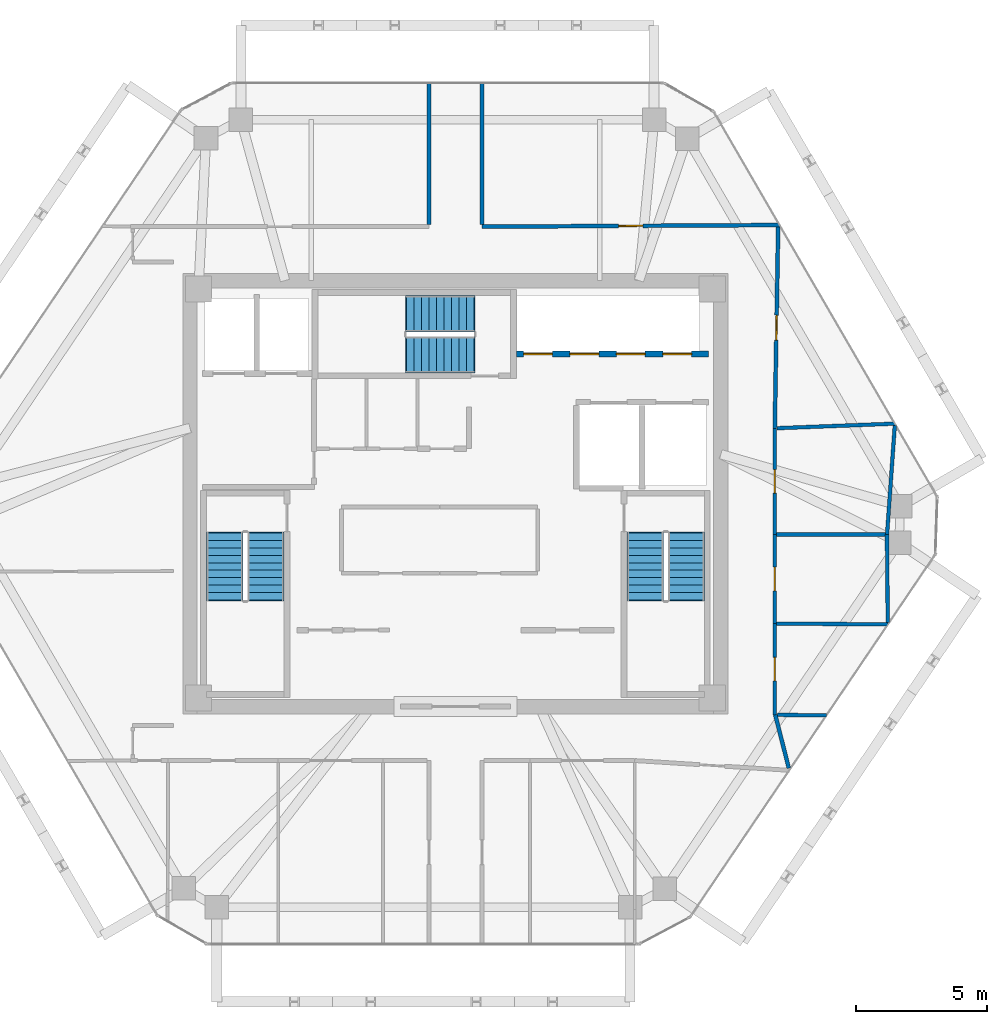
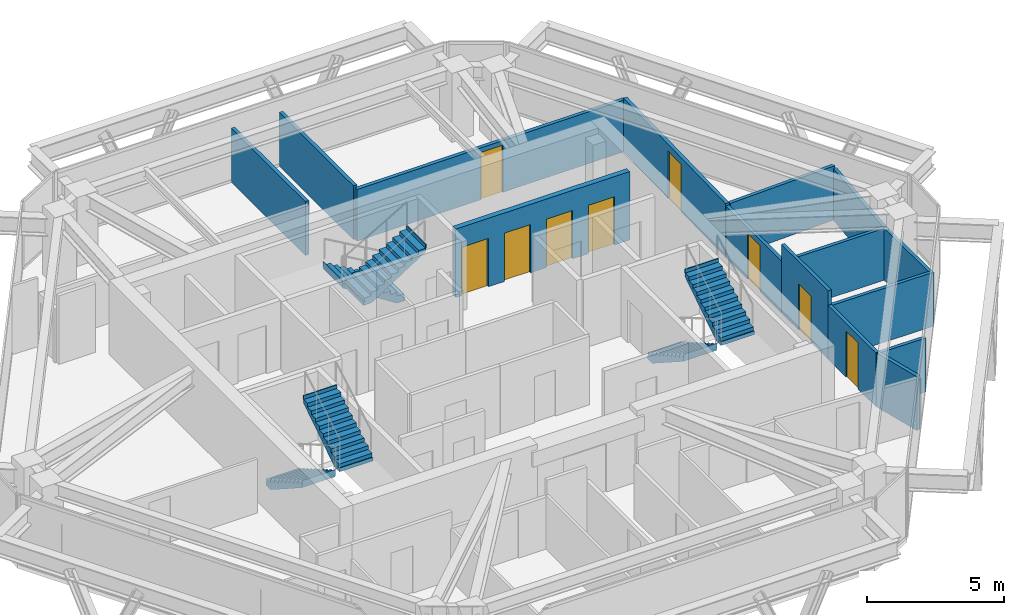
# One storey, part 10 of 11: 15 walls, 9 doors, 6 stair flights, 9 openings, 3 elements without a shape of their own.
"""IFC4 building model written with IfcOpenShell, lengths in metres."""

from ifc_helpers import new_model, si_unit, direction, frame, frame_2d, origin, place, context, subcontext, project, spatial, polyline, rectangle, outline, extrude, source, transform, mapped, material, layer, layer_set, type_object, type_shapes, element, fill, aggregate, save


model = new_model("IFC4")

# Units and contexts
model_context = context("Model", 3, precision=1e-05, world=origin(), true_north=direction((0.0, 1.0)))
body_context = subcontext(model_context, "Body", "Model", "MODEL_VIEW")
ifc_project = project(units=[si_unit("LENGTHUNIT", "METRE"), si_unit("AREAUNIT", "SQUARE_METRE"), si_unit("VOLUMEUNIT", "CUBIC_METRE"), si_unit("PLANEANGLEUNIT", "RADIAN"), si_unit("MASSUNIT", "GRAM", prefix="KILO")], contexts=[model_context])

# Site, building, storey
site_placement = place(None, origin())
site = spatial("IfcSite", under=ifc_project, at=site_placement, CompositionType="ELEMENT")
building_placement = place(site_placement, origin())
building = spatial("IfcBuilding", under=site, at=building_placement, Name="Durnholm Broadcast Tower", CompositionType="ELEMENT")
storey_placement = place(building_placement, frame((0.0, 0.0, 244.699951171875)))
storey = spatial("IfcBuildingStorey", under=building, at=storey_placement, Name="L68", CompositionType="ELEMENT", Elevation=244.699951171875)

# Wall
ifc_material_1 = material(Name="Acoustic Gypsum Stud Partition", Category="concrete")
ifc_layer_1 = layer(ifc_material_1, 0.14990234375)
ifc_layer_set_1 = layer_set([ifc_layer_1], Name="Acoustic Gypsum Stud Partition")
wall_type_1 = type_object("IfcWallType", Name="WALL-PART-150", PredefinedType="PARTITIONING", material=ifc_layer_set_1)
wall_1_placement = place(storey_placement, frame((-1.010009765625, 15.662109375, 0.0), z_axis=(0.0, 0.0, 1.0), x_axis=(0.0, -1.0, 0.0)))
element("IfcWall", 1, at=wall_1_placement, inside=storey, type_object=wall_type_1, Name="L68 Open Plan Broadcast Workspace 2 corridor partition", PredefinedType="PARTITIONING", context=body_context, shape_type="SweptSolid", body=[
    extrude(rectangle(XDim=5.403076171875, YDim=0.14990234375, at=frame_2d((2.70166015625, 0.0))), origin(), (0.0, 0.0, 1.0), 2.39892578125),
])

# Wall, opening, door
wall_2_placement = place(storey_placement, frame((12.368408203125, 10.242919921875, 0.0), z_axis=(0.0, 0.0, 1.0), x_axis=(-0.999984623931, -0.005545439622, 0.0)))
wall_2 = element("IfcWall", 2, at=wall_2_placement, inside=storey, type_object=wall_type_1, Name="L68 Open Plan Broadcast Workspace 3 corridor partition", PredefinedType="PARTITIONING", context=body_context, shape_type="SweptSolid", body=[
    extrude(rectangle(XDim=11.358642578125, YDim=0.14990234375, at=frame_2d((5.67919921875, 0.0))), origin(), (0.0, 0.0, 1.0), 2.30126953125),
])
opening_1_placement = place(wall_2_placement, frame((5.21923828125, 0.0, 0.0)))
opening_1 = element("IfcOpeningElement", 3, at=opening_1_placement, cuts=wall_2, Name="Opening DR-92L", PredefinedType="OPENING", context=body_context, shape_type="SweptSolid", body=[
    extrude(rectangle(XDim=0.919921875, YDim=2.10009765625, at=frame_2d((0.4599609375, 1.050048828125))), frame((0.0, 0.0849609375, 0.0), z_axis=(0.0, -1.0, 0.0), x_axis=(1.0, 0.0, 0.0)), (0.0, 0.0, 1.0), 0.169921875),
])
ifc_material_2 = material(Name="Oak Veneer Office Door", Category="wood")
ifc_layer_2 = layer(ifc_material_2, 0.050048828125)
ifc_layer_set_2 = layer_set([ifc_layer_2], Name="Oak Veneer Office Door")
door_type_1 = type_object("IfcDoorType", Name="DOOR-RM-920L", OperationType="NOTDEFINED", PredefinedType="DOOR", material=ifc_layer_set_2)
shared_shape_1 = source(origin(), body_context, "Body", "SweptSolid", [
    extrude(rectangle(XDim=0.919921875, YDim=2.10009765625, at=frame_2d((0.4599609375, 1.050048828125))), frame((0.0, 0.02490234375, 0.0), z_axis=(0.0, -1.0, 0.0), x_axis=(1.0, 0.0, 0.0)), (0.0, 0.0, 1.0), 0.050048828125),
])
type_shapes(door_type_1, [shared_shape_1])
door_1_placement = place(opening_1_placement, origin())
door_1 = element("IfcDoor", 4, at=door_1_placement, inside=storey, type_object=door_type_1, Name="L68 Open Plan Broadcast Workspace 3 entrance door", OperationType="SINGLE_SWING_LEFT", OverallHeight=2.10009765625, OverallWidth=0.919921875, PredefinedType="DOOR", context=body_context, shape_type="MappedRepresentation", body=[
    mapped(shared_shape_1, transform((0.0, 0.0, 0.0), x_axis=(1.0, 0.0, 0.0), y_axis=(0.0, 1.0, 0.0), z_axis=(0.0, 0.0, 1.0), scale=1.0)),
])
fill(opening_1, door_1)

# Walls
wall_3_placement = place(storey_placement, frame((1.010009765625, 10.259033203125, 0.0), z_axis=(0.0, 0.0, 1.0), x_axis=(0.0, 1.0, 0.0)))
element("IfcWall", 5, at=wall_3_placement, inside=storey, type_object=wall_type_1, Name="L68 Open Plan Broadcast Workspace 3 corridor partition", PredefinedType="PARTITIONING", context=body_context, shape_type="SweptSolid", body=[
    extrude(rectangle(XDim=5.403076171875, YDim=0.14990234375, at=frame_2d((2.70166015625, 0.0))), origin(), (0.0, 0.0, 1.0), 2.39892578125),
])
wall_4_placement = place(storey_placement, frame((12.718505859375, -10.477294921875, 0.0), z_axis=(0.0, 0.0, 1.0), x_axis=(-0.246550381988, 0.96912997536, 0.0)))
element("IfcWall", 6, at=wall_4_placement, inside=storey, type_object=wall_type_1, Name="L68 Editorial Briefing Meeting Room corridor partition", PredefinedType="PARTITIONING", context=body_context, shape_type="SweptSolid", body=[
    extrude(rectangle(XDim=2.102294921875, YDim=0.14990234375, at=frame_2d((1.05126953125, 0.0))), origin(), (0.0, 0.0, 1.0), 2.39892578125),
])

# Wall, opening, door
wall_5_placement = place(storey_placement, frame((12.181396484375, 2.489990234375, 0.0), z_axis=(0.0, 0.0, 1.0), x_axis=(0.016828134389, 0.999858396921, 0.0)))
wall_5 = element("IfcWall", 7, at=wall_5_placement, inside=storey, type_object=wall_type_1, Name="L68 Open Plan Broadcast Workspace 2 corridor partition", PredefinedType="PARTITIONING", context=body_context, shape_type="SweptSolid", body=[
    extrude(rectangle(XDim=7.674560546875, YDim=0.14990234375, at=frame_2d((3.83740234375, 0.0))), origin(), (0.0, 0.0, 1.0), 2.39892578125),
])
opening_2_placement = place(wall_5_placement, frame((3.3623046875, 0.0, 0.0)))
opening_2 = element("IfcOpeningElement", 8, at=opening_2_placement, cuts=wall_5, Name="Opening DR-95L", PredefinedType="OPENING", context=body_context, shape_type="SweptSolid", body=[
    extrude(rectangle(XDim=0.949951171875, YDim=2.10009765625, at=frame_2d((0.47509765625, 1.050048828125))), frame((0.0, 0.0849609375, 0.0), z_axis=(0.0, -1.0, 0.0), x_axis=(1.0, 0.0, 0.0)), (0.0, 0.0, 1.0), 0.169921875),
])
ifc_material_3 = material(Name="Acoustic Oak Veneer Timber Door", Category="wood")
ifc_layer_3 = layer(ifc_material_3, 0.050048828125)
ifc_layer_set_3 = layer_set([ifc_layer_3], Name="Acoustic Oak Veneer Timber Door")
door_type_2 = type_object("IfcDoorType", Name="DOOR-RM-950L", OperationType="NOTDEFINED", PredefinedType="DOOR", material=ifc_layer_set_3)
shared_shape_2 = source(origin(), body_context, "Body", "SweptSolid", [
    extrude(rectangle(XDim=0.949951171875, YDim=2.10009765625, at=frame_2d((0.47509765625, 1.050048828125))), frame((0.0, 0.02490234375, 0.0), z_axis=(0.0, -1.0, 0.0), x_axis=(1.0, 0.0, 0.0)), (0.0, 0.0, 1.0), 0.050048828125),
])
type_shapes(door_type_2, [shared_shape_2])
door_2_placement = place(opening_2_placement, origin())
door_2 = element("IfcDoor", 9, at=door_2_placement, inside=storey, type_object=door_type_2, Name="L68 Open Plan Broadcast Workspace 2 entrance door", OperationType="SINGLE_SWING_LEFT", OverallHeight=2.10009765625, OverallWidth=0.949951171875, PredefinedType="DOOR", context=body_context, shape_type="MappedRepresentation", body=[
    mapped(shared_shape_2, transform((0.0, 0.0, 0.0), x_axis=(1.0, 0.0, 0.0), y_axis=(0.0, 1.0, 0.0), z_axis=(0.0, 0.0, 1.0), scale=1.0)),
])
fill(opening_2, door_2)

# Wall, openings, doors
ifc_material_4 = material(Name="Concrete Blockwork C30/37", Category="masonry")
ifc_layer_4 = layer(ifc_material_4, 0.219970703125)
ifc_layer_set_4 = layer_set([ifc_layer_4], Name="Concrete Blockwork C30/37")
wall_type_2 = type_object("IfcWallType", Name="WALL-SHAFT-220", PredefinedType="SOLIDWALL", material=ifc_layer_set_4)
wall_6_placement = place(storey_placement, frame((2.324951171875, 5.320068359375, 0.0), z_axis=(0.0, 0.0, 1.0), x_axis=(1.0, 0.0, 0.0)))
wall_6 = element("IfcWall", 10, at=wall_6_placement, inside=storey, type_object=wall_type_2, Name="L68 high-rise bank P3 south front wall", PredefinedType="SOLIDWALL", context=body_context, shape_type="SweptSolid", body=[
    extrude(rectangle(XDim=7.324951171875, YDim=0.219970703125, at=frame_2d((3.66259765625, 0.0))), origin(), (0.0, 0.0, 1.0), 3.045166015625),
])
opening_3_placement = place(wall_6_placement, frame((0.27490234375, 0.0, 0.0)))
opening_3 = element("IfcOpeningElement", 11, at=opening_3_placement, cuts=wall_6, Name="Opening LD-LP3-1", PredefinedType="OPENING", context=body_context, shape_type="SweptSolid", body=[
    extrude(rectangle(XDim=1.10009765625, YDim=2.14990234375, at=frame_2d((0.550048828125, 1.074951171875))), frame((0.0, 0.1201171875, 0.0), z_axis=(0.0, -1.0, 0.0), x_axis=(1.0, 0.0, 0.0)), (0.0, 0.0, 1.0), 0.239990234375),
])
opening_4_placement = place(wall_6_placement, frame((2.044921875, 0.0, 0.0)))
opening_4 = element("IfcOpeningElement", 12, at=opening_4_placement, cuts=wall_6, Name="Opening LD-LP3-2", PredefinedType="OPENING", context=body_context, shape_type="SweptSolid", body=[
    extrude(rectangle(XDim=1.10009765625, YDim=2.14990234375, at=frame_2d((0.550048828125, 1.074951171875))), frame((0.0, 0.1201171875, 0.0), z_axis=(0.0, -1.0, 0.0), x_axis=(1.0, 0.0, 0.0)), (0.0, 0.0, 1.0), 0.239990234375),
])
opening_5_placement = place(wall_6_placement, frame((3.81494140625, 0.0, 0.0)))
opening_5 = element("IfcOpeningElement", 13, at=opening_5_placement, cuts=wall_6, Name="Opening LD-LP3-3", PredefinedType="OPENING", context=body_context, shape_type="SweptSolid", body=[
    extrude(rectangle(XDim=1.10009765625, YDim=2.14990234375, at=frame_2d((0.550048828125, 1.074951171875))), frame((0.0, 0.1201171875, 0.0), z_axis=(0.0, -1.0, 0.0), x_axis=(1.0, 0.0, 0.0)), (0.0, 0.0, 1.0), 0.239990234375),
])
opening_6_placement = place(wall_6_placement, frame((5.5849609375, 0.0, 0.0)))
opening_6 = element("IfcOpeningElement", 14, at=opening_6_placement, cuts=wall_6, Name="Opening LD-LP3-4", PredefinedType="OPENING", context=body_context, shape_type="SweptSolid", body=[
    extrude(rectangle(XDim=1.10009765625, YDim=2.14990234375, at=frame_2d((0.550048828125, 1.074951171875))), frame((0.0, 0.1201171875, 0.0), z_axis=(0.0, -1.0, 0.0), x_axis=(1.0, 0.0, 0.0)), (0.0, 0.0, 1.0), 0.239990234375),
])
ifc_material_5 = material(Name="Stainless Steel Sliding Elevator Landing Door", Category="steel")
ifc_layer_5 = layer(ifc_material_5, 0.050048828125)
ifc_layer_set_5 = layer_set([ifc_layer_5], Name="Stainless Steel Sliding Elevator Landing Door")
door_type_3 = type_object("IfcDoorType", Name="DOOR-LIFT-PAX", OperationType="DOUBLE_DOOR_SLIDING", PredefinedType="DOOR", material=ifc_layer_set_5)
shared_shape_3 = source(origin(), body_context, "Body", "SweptSolid", [
    extrude(rectangle(XDim=1.10009765625, YDim=2.14990234375, at=frame_2d((0.550048828125, 1.074951171875))), frame((0.0, 0.02490234375, 0.0), z_axis=(0.0, -1.0, 0.0), x_axis=(1.0, 0.0, 0.0)), (0.0, 0.0, 1.0), 0.050048828125),
])
type_shapes(door_type_3, [shared_shape_3])
door_3_placement = place(opening_3_placement, origin())
door_3 = element("IfcDoor", 15, at=door_3_placement, inside=storey, type_object=door_type_3, Name="L68 high-rise elevator LP3-1 sliding landing door", OperationType="DOUBLE_DOOR_SLIDING", OverallHeight=2.14990234375, OverallWidth=1.10009765625, PredefinedType="DOOR", context=body_context, shape_type="MappedRepresentation", body=[
    mapped(shared_shape_3, transform((0.0, 0.0, 0.0), x_axis=(1.0, 0.0, 0.0), y_axis=(0.0, 1.0, 0.0), z_axis=(0.0, 0.0, 1.0), scale=1.0)),
])
fill(opening_3, door_3)
door_4_placement = place(opening_4_placement, origin())
door_4 = element("IfcDoor", 16, at=door_4_placement, inside=storey, type_object=door_type_3, Name="L68 high-rise elevator LP3-2 sliding landing door", OperationType="DOUBLE_DOOR_SLIDING", OverallHeight=2.14990234375, OverallWidth=1.10009765625, PredefinedType="DOOR", context=body_context, shape_type="MappedRepresentation", body=[
    mapped(shared_shape_3, transform((0.0, 0.0, 0.0), x_axis=(1.0, 0.0, 0.0), y_axis=(0.0, 1.0, 0.0), z_axis=(0.0, 0.0, 1.0), scale=1.0)),
])
fill(opening_4, door_4)
door_5_placement = place(opening_5_placement, origin())
door_5 = element("IfcDoor", 17, at=door_5_placement, inside=storey, type_object=door_type_3, Name="L68 high-rise elevator LP3-3 sliding landing door", OperationType="DOUBLE_DOOR_SLIDING", OverallHeight=2.14990234375, OverallWidth=1.10009765625, PredefinedType="DOOR", context=body_context, shape_type="MappedRepresentation", body=[
    mapped(shared_shape_3, transform((0.0, 0.0, 0.0), x_axis=(1.0, 0.0, 0.0), y_axis=(0.0, 1.0, 0.0), z_axis=(0.0, 0.0, 1.0), scale=1.0)),
])
fill(opening_5, door_5)
door_6_placement = place(opening_6_placement, origin())
door_6 = element("IfcDoor", 18, at=door_6_placement, inside=storey, type_object=door_type_3, Name="L68 high-rise elevator LP3-4 sliding landing door", OperationType="DOUBLE_DOOR_SLIDING", OverallHeight=2.14990234375, OverallWidth=1.10009765625, PredefinedType="DOOR", context=body_context, shape_type="MappedRepresentation", body=[
    mapped(shared_shape_3, transform((0.0, 0.0, 0.0), x_axis=(1.0, 0.0, 0.0), y_axis=(0.0, 1.0, 0.0), z_axis=(0.0, 0.0, 1.0), scale=1.0)),
])
fill(opening_6, door_6)

# Wall, opening, door
ifc_material_6 = material(Name="Moisture-Resistant Tile Partition", Category="concrete")
ifc_layer_6 = layer(ifc_material_6, 0.139892578125)
ifc_layer_set_6 = layer_set([ifc_layer_6], Name="Moisture-Resistant Tile Partition")
wall_type_3 = type_object("IfcWallType", Name="WALL-WC-140", PredefinedType="PARTITIONING", material=ifc_layer_set_6)
wall_7_placement = place(storey_placement, frame((12.179931640625, -8.43994140625, 0.0), z_axis=(0.0, 0.0, 1.0), x_axis=(0.0, 1.0, 0.0)))
wall_7 = element("IfcWall", 19, at=wall_7_placement, inside=storey, type_object=wall_type_3, Name="L68 Men's Restroom corridor partition", PredefinedType="PARTITIONING", context=body_context, shape_type="SweptSolid", body=[
    extrude(rectangle(XDim=3.47998046875, YDim=0.139892578125, at=frame_2d((1.739990234375, 0.0))), origin(), (0.0, 0.0, 1.0), 2.39892578125),
])
opening_7_placement = place(wall_7_placement, frame((1.2900390625, 0.0, 0.0)))
opening_7 = element("IfcOpeningElement", 20, at=opening_7_placement, cuts=wall_7, Name="Opening DW-90L", PredefinedType="OPENING", context=body_context, shape_type="SweptSolid", body=[
    extrude(rectangle(XDim=0.89990234375, YDim=2.050048828125, at=frame_2d((0.449951171875, 1.02490234375))), frame((0.0, 0.080078125, 0.0), z_axis=(0.0, -1.0, 0.0), x_axis=(1.0, 0.0, 0.0)), (0.0, 0.0, 1.0), 0.159912109375),
])
ifc_material_7 = material(Name="Laminate Restroom Door", Category="steel")
ifc_layer_7 = layer(ifc_material_7, 0.050048828125)
ifc_layer_set_7 = layer_set([ifc_layer_7], Name="Laminate Restroom Door")
door_type_4 = type_object("IfcDoorType", Name="DOOR-WC-900L", OperationType="NOTDEFINED", PredefinedType="DOOR", material=ifc_layer_set_7)
shared_shape_4 = source(origin(), body_context, "Body", "SweptSolid", [
    extrude(rectangle(XDim=0.89990234375, YDim=2.050048828125, at=frame_2d((0.449951171875, 1.02490234375))), frame((0.0, 0.02490234375, 0.0), z_axis=(0.0, -1.0, 0.0), x_axis=(1.0, 0.0, 0.0)), (0.0, 0.0, 1.0), 0.050048828125),
])
type_shapes(door_type_4, [shared_shape_4])
door_7_placement = place(opening_7_placement, origin())
door_7 = element("IfcDoor", 21, at=door_7_placement, inside=storey, type_object=door_type_4, Name="L68 Men's Restroom entrance door", OperationType="SINGLE_SWING_LEFT", OverallHeight=2.050048828125, OverallWidth=0.89990234375, PredefinedType="DOOR", context=body_context, shape_type="MappedRepresentation", body=[
    mapped(shared_shape_4, transform((0.0, 0.0, 0.0), x_axis=(1.0, 0.0, 0.0), y_axis=(0.0, 1.0, 0.0), z_axis=(0.0, 0.0, 1.0), scale=1.0)),
])
fill(opening_7, door_7)

wall_8_placement = place(storey_placement, frame((12.179931640625, -4.9599609375, 0.0), z_axis=(0.0, 0.0, 1.0), x_axis=(0.0, 1.0, 0.0)))
wall_8 = element("IfcWall", 22, at=wall_8_placement, inside=storey, type_object=wall_type_3, Name="L68 Women's Restroom corridor partition", PredefinedType="PARTITIONING", context=body_context, shape_type="SweptSolid", body=[
    extrude(rectangle(XDim=3.39990234375, YDim=0.139892578125, at=frame_2d((1.699951171875, 0.0))), origin(), (0.0, 0.0, 1.0), 3.045166015625),
])
opening_8_placement = place(wall_8_placement, frame((1.25, 0.0, 0.0)))
opening_8 = element("IfcOpeningElement", 23, at=opening_8_placement, cuts=wall_8, Name="Opening DW-90R", PredefinedType="OPENING", context=body_context, shape_type="SweptSolid", body=[
    extrude(rectangle(XDim=0.89990234375, YDim=2.050048828125, at=frame_2d((0.449951171875, 1.02490234375))), frame((0.0, 0.080078125, 0.0), z_axis=(0.0, -1.0, 0.0), x_axis=(1.0, 0.0, 0.0)), (0.0, 0.0, 1.0), 0.159912109375),
])
ifc_layer_8 = layer(ifc_material_7, 0.050048828125)
ifc_layer_set_8 = layer_set([ifc_layer_8], Name="Laminate Restroom Door")
door_type_5 = type_object("IfcDoorType", Name="DOOR-WC-900R", OperationType="NOTDEFINED", PredefinedType="DOOR", material=ifc_layer_set_8)
shared_shape_5 = source(origin(), body_context, "Body", "SweptSolid", [
    extrude(rectangle(XDim=0.89990234375, YDim=2.050048828125, at=frame_2d((0.449951171875, 1.02490234375))), frame((0.0, 0.02490234375, 0.0), z_axis=(0.0, -1.0, 0.0), x_axis=(1.0, 0.0, 0.0)), (0.0, 0.0, 1.0), 0.050048828125),
])
type_shapes(door_type_5, [shared_shape_5])
door_8_placement = place(opening_8_placement, origin())
door_8 = element("IfcDoor", 24, at=door_8_placement, inside=storey, type_object=door_type_5, Name="L68 Women's Restroom entrance door", OperationType="SINGLE_SWING_RIGHT", OverallHeight=2.050048828125, OverallWidth=0.89990234375, PredefinedType="DOOR", context=body_context, shape_type="MappedRepresentation", body=[
    mapped(shared_shape_5, transform((0.0, 0.0, 0.0), x_axis=(1.0, 0.0, 0.0), y_axis=(0.0, 1.0, 0.0), z_axis=(0.0, 0.0, 1.0), scale=1.0)),
])
fill(opening_8, door_8)

wall_9_placement = place(storey_placement, frame((12.179931640625, -1.56005859375, 0.0), z_axis=(0.0, 0.0, 1.0), x_axis=(0.0, 1.0, 0.0)))
wall_9 = element("IfcWall", 25, at=wall_9_placement, inside=storey, type_object=wall_type_3, Name="L68 Accessible Restroom corridor partition", PredefinedType="PARTITIONING", context=body_context, shape_type="SweptSolid", body=[
    extrude(rectangle(XDim=4.050048828125, YDim=0.139892578125, at=frame_2d((2.02490234375, 0.0))), origin(), (0.0, 0.0, 1.0), 2.30126953125),
])
opening_9_placement = place(wall_9_placement, frame((1.574951171875, 0.0, 0.0)))
opening_9 = element("IfcOpeningElement", 26, at=opening_9_placement, cuts=wall_9, Name="Opening DW-90L", PredefinedType="OPENING", context=body_context, shape_type="SweptSolid", body=[
    extrude(rectangle(XDim=0.89990234375, YDim=2.050048828125, at=frame_2d((0.449951171875, 1.02490234375))), frame((0.0, 0.080078125, 0.0), z_axis=(0.0, -1.0, 0.0), x_axis=(1.0, 0.0, 0.0)), (0.0, 0.0, 1.0), 0.159912109375),
])
door_9_placement = place(opening_9_placement, origin())
door_9 = element("IfcDoor", 27, at=door_9_placement, inside=storey, type_object=door_type_4, Name="L68 Accessible Restroom entrance door", OperationType="SINGLE_SWING_LEFT", OverallHeight=2.050048828125, OverallWidth=0.89990234375, PredefinedType="DOOR", context=body_context, shape_type="MappedRepresentation", body=[
    mapped(shared_shape_4, transform((0.0, 0.0, 0.0), x_axis=(1.0, 0.0, 0.0), y_axis=(0.0, 1.0, 0.0), z_axis=(0.0, 0.0, 1.0), scale=1.0)),
])
fill(opening_9, door_9)

# Walls
wall_10_placement = place(storey_placement, frame((12.25390625, -4.96044921875, 0.0), z_axis=(0.0, 0.0, 1.0), x_axis=(0.999976630429, -0.006836563198, 0.0)))
element("IfcWall", 28, at=wall_10_placement, inside=storey, type_object=wall_type_3, Name="L68 room dividing partition 9.10", PredefinedType="PARTITIONING", context=body_context, shape_type="SweptSolid", body=[
    extrude(rectangle(XDim=4.24951171875, YDim=0.139892578125, at=frame_2d((2.124755859375, 0.0))), origin(), (0.0, 0.0, 1.0), 2.39892578125),
])
wall_11_placement = place(storey_placement, frame((14.155517578125, -8.46240234375, 0.0), z_axis=(0.0, 0.0, 1.0), x_axis=(-0.999935742613, 0.011336253532, 0.0)))
element("IfcWall", 29, at=wall_11_placement, inside=storey, type_object=wall_type_3, Name="L68 room dividing partition 9.20", PredefinedType="PARTITIONING", context=body_context, shape_type="SweptSolid", body=[
    extrude(rectangle(XDim=1.87353515625, YDim=0.139892578125, at=frame_2d((0.936767578125, 0.0))), origin(), (0.0, 0.0, 1.0), 2.39892578125),
])
wall_12_placement = place(storey_placement, frame((12.25390625, -1.56005859375, 0.0), z_axis=(0.0, 0.0, 1.0), x_axis=(1.0, 0.0, 0.0)))
element("IfcWall", 30, at=wall_12_placement, inside=storey, type_object=wall_type_3, Name="L68 room dividing partition 10.11", PredefinedType="PARTITIONING", context=body_context, shape_type="SweptSolid", body=[
    extrude(rectangle(XDim=4.2060546875, YDim=0.139892578125, at=frame_2d((2.10302734375, 0.0))), origin(), (0.0, 0.0, 1.0), 2.30126953125),
])
wall_13_placement = place(storey_placement, frame((16.4599609375, -1.56005859375, 0.0), z_axis=(0.0, 0.0, 1.0), x_axis=(0.009604446748, -0.999953876238, 0.0)))
element("IfcWall", 31, at=wall_13_placement, inside=storey, type_object=wall_type_3, Name="L68 room dividing partition 10.24", PredefinedType="PARTITIONING", context=body_context, shape_type="SweptSolid", body=[
    extrude(rectangle(XDim=3.35546875, YDim=0.139892578125, at=frame_2d((1.677734375, 0.0))), origin(), (0.0, 0.0, 1.0), 2.30126953125),
])
wall_14_placement = place(storey_placement, frame((12.260498046875, 2.4931640625, 0.0), z_axis=(0.0, 0.0, 1.0), x_axis=(0.999256206289, 0.038562082324, 0.0)))
element("IfcWall", 32, at=wall_14_placement, inside=storey, type_object=wall_type_3, Name="L68 room dividing partition 11.24", PredefinedType="PARTITIONING", context=body_context, shape_type="SweptSolid", body=[
    extrude(rectangle(XDim=4.5078125, YDim=0.139892578125, at=frame_2d((2.25390625, 0.0))), origin(), (0.0, 0.0, 1.0), 2.39892578125),
])
wall_15_placement = place(storey_placement, frame((16.759521484375, 2.5927734375, 0.0), z_axis=(0.0, 0.0, 1.0), x_axis=(-0.07055102187, -0.997508172053, 0.0)))
element("IfcWall", 33, at=wall_15_placement, inside=storey, type_object=wall_type_3, Name="L68 room dividing partition 11.24", PredefinedType="PARTITIONING", context=body_context, shape_type="SweptSolid", body=[
    extrude(rectangle(XDim=4.162841796875, YDim=0.139892578125, at=frame_2d((2.08154296875, 0.0))), origin(), (0.0, 0.0, 1.0), 2.30126953125),
])

# Stair, stair flights
ifc_material_8 = material(Name="Concrete C50/60", Category="concrete")
stair_type = type_object("IfcStairType", Name="STAIR-DL-20R1650", PredefinedType="HALF_TURN_STAIR", material=ifc_material_8)
stair_1_placement = place(storey_placement, origin())
stair_1 = element("IfcStair", 34, at=stair_1_placement, inside=storey, type_object=stair_type, Name="L68 ST-1", PredefinedType="HALF_TURN_STAIR")
stair_flight_type = type_object("IfcStairFlightType", Name="FLIGHT-DL-20R1650", PredefinedType="STRAIGHT", material=ifc_material_8)
stair_flight_1_placement = place(storey_placement, frame((-8.800048828125, -1.5, 0.0), z_axis=(0.0, 0.0, 1.0), x_axis=(0.0, -1.0, 0.0)))
stair_flight_1 = element("IfcStairFlight", 35, at=stair_flight_1_placement, type_object=stair_flight_type, Name="ST-1 flight 1", NumberOfRisers=10, NumberOfTreads=9, PredefinedType="STRAIGHT", RiserHeight=0.165, TreadLength=0.285, context=body_context, shape_type="SweptSolid", body=[
    extrude(outline(polyline([(-0.0400390625, -0.14990234375), (-0.0400390625, 0.0), (0.0, 0.0), (0.0, 0.1650390625), (0.284912109375, 0.1650390625), (0.284912109375, 0.330078125), (0.570068359375, 0.330078125), (0.570068359375, 0.4951171875), (0.85498046875, 0.4951171875), (0.85498046875, 0.659912109375), (1.139892578125, 0.659912109375), (1.139892578125, 0.824951171875), (1.425048828125, 0.824951171875), (1.425048828125, 0.989990234375), (1.7099609375, 0.989990234375), (1.7099609375, 1.155029296875), (1.9951171875, 1.155029296875), (1.9951171875, 1.320068359375), (2.280029296875, 1.320068359375), (2.280029296875, 1.485107421875), (2.56494140625, 1.485107421875), (2.56494140625, 1.64990234375), (2.60498046875, 1.64990234375), (2.60498046875, 1.5), (2.56494140625, 1.311767578125), (0.299072265625, -0.14990234375), (-0.0400390625, -0.14990234375)])), frame((0.0, 0.699951171875, 0.0), z_axis=(0.0, -1.0, 0.0), x_axis=(1.0, 0.0, 0.0)), (0.0, 0.0, 1.0), 1.39990234375),
])
stair_flight_2_placement = place(storey_placement, frame((-7.239990234375, -4.06494140625, 1.650146484375), z_axis=(0.0, 0.0, 1.0), x_axis=(0.0, 1.0, 0.0)))
stair_flight_2 = element("IfcStairFlight", 36, at=stair_flight_2_placement, type_object=stair_flight_type, Name="ST-1 flight 2", NumberOfRisers=10, NumberOfTreads=9, PredefinedType="STRAIGHT", RiserHeight=0.165, TreadLength=0.285, context=body_context, shape_type="SweptSolid", body=[
    extrude(outline(polyline([(-0.0400390625, -0.14990234375), (-0.0400390625, 0.0), (0.0, 0.0), (0.0, 0.1650390625), (0.284912109375, 0.1650390625), (0.284912109375, 0.330078125), (0.570068359375, 0.330078125), (0.570068359375, 0.4951171875), (0.85498046875, 0.4951171875), (0.85498046875, 0.659912109375), (1.139892578125, 0.659912109375), (1.139892578125, 0.824951171875), (1.425048828125, 0.824951171875), (1.425048828125, 0.989990234375), (1.7099609375, 0.989990234375), (1.7099609375, 1.155029296875), (1.9951171875, 1.155029296875), (1.9951171875, 1.320068359375), (2.280029296875, 1.320068359375), (2.280029296875, 1.485107421875), (2.56494140625, 1.485107421875), (2.56494140625, 1.64990234375), (2.60498046875, 1.64990234375), (2.60498046875, 1.5), (2.56494140625, 1.311767578125), (0.299072265625, -0.14990234375), (-0.0400390625, -0.14990234375)])), frame((0.0, 0.699951171875, 0.0), z_axis=(0.0, -1.0, 0.0), x_axis=(1.0, 0.0, 0.0)), (0.0, 0.0, 1.0), 1.39990234375),
])
aggregate(stair_1, [stair_flight_1, stair_flight_2])

stair_2_placement = place(storey_placement, origin())
stair_2 = element("IfcStair", 37, at=stair_2_placement, inside=storey, type_object=stair_type, Name="L68 ST-2", PredefinedType="HALF_TURN_STAIR")
stair_flight_3_placement = place(storey_placement, frame((7.239990234375, -1.5, 0.0), z_axis=(0.0, 0.0, 1.0), x_axis=(0.0, -1.0, 0.0)))
stair_flight_3 = element("IfcStairFlight", 38, at=stair_flight_3_placement, type_object=stair_flight_type, Name="ST-2 flight 1", NumberOfRisers=10, NumberOfTreads=9, PredefinedType="STRAIGHT", RiserHeight=0.165, TreadLength=0.285, context=body_context, shape_type="SweptSolid", body=[
    extrude(outline(polyline([(-0.0400390625, -0.14990234375), (-0.0400390625, 0.0), (0.0, 0.0), (0.0, 0.1650390625), (0.284912109375, 0.1650390625), (0.284912109375, 0.330078125), (0.570068359375, 0.330078125), (0.570068359375, 0.4951171875), (0.85498046875, 0.4951171875), (0.85498046875, 0.659912109375), (1.139892578125, 0.659912109375), (1.139892578125, 0.824951171875), (1.425048828125, 0.824951171875), (1.425048828125, 0.989990234375), (1.7099609375, 0.989990234375), (1.7099609375, 1.155029296875), (1.9951171875, 1.155029296875), (1.9951171875, 1.320068359375), (2.280029296875, 1.320068359375), (2.280029296875, 1.485107421875), (2.56494140625, 1.485107421875), (2.56494140625, 1.64990234375), (2.60498046875, 1.64990234375), (2.60498046875, 1.5), (2.56494140625, 1.311767578125), (0.299072265625, -0.14990234375), (-0.0400390625, -0.14990234375)])), frame((0.0, 0.699951171875, 0.0), z_axis=(0.0, -1.0, 0.0), x_axis=(1.0, 0.0, 0.0)), (0.0, 0.0, 1.0), 1.39990234375),
])
stair_flight_4_placement = place(storey_placement, frame((8.800048828125, -4.06494140625, 1.650146484375), z_axis=(0.0, 0.0, 1.0), x_axis=(0.0, 1.0, 0.0)))
stair_flight_4 = element("IfcStairFlight", 39, at=stair_flight_4_placement, type_object=stair_flight_type, Name="ST-2 flight 2", NumberOfRisers=10, NumberOfTreads=9, PredefinedType="STRAIGHT", RiserHeight=0.165, TreadLength=0.285, context=body_context, shape_type="SweptSolid", body=[
    extrude(outline(polyline([(-0.0400390625, -0.14990234375), (-0.0400390625, 0.0), (0.0, 0.0), (0.0, 0.1650390625), (0.284912109375, 0.1650390625), (0.284912109375, 0.330078125), (0.570068359375, 0.330078125), (0.570068359375, 0.4951171875), (0.85498046875, 0.4951171875), (0.85498046875, 0.659912109375), (1.139892578125, 0.659912109375), (1.139892578125, 0.824951171875), (1.425048828125, 0.824951171875), (1.425048828125, 0.989990234375), (1.7099609375, 0.989990234375), (1.7099609375, 1.155029296875), (1.9951171875, 1.155029296875), (1.9951171875, 1.320068359375), (2.280029296875, 1.320068359375), (2.280029296875, 1.485107421875), (2.56494140625, 1.485107421875), (2.56494140625, 1.64990234375), (2.60498046875, 1.64990234375), (2.60498046875, 1.5), (2.56494140625, 1.311767578125), (0.299072265625, -0.14990234375), (-0.0400390625, -0.14990234375)])), frame((0.0, 0.699951171875, 0.0), z_axis=(0.0, -1.0, 0.0), x_axis=(1.0, 0.0, 0.0)), (0.0, 0.0, 1.0), 1.39990234375),
])
aggregate(stair_2, [stair_flight_3, stair_flight_4])

stair_3_placement = place(storey_placement, origin())
stair_3 = element("IfcStair", 40, at=stair_3_placement, inside=storey, type_object=stair_type, Name="L68 ST-3", PredefinedType="HALF_TURN_STAIR")
stair_flight_5_placement = place(storey_placement, frame((0.699951171875, 6.860107421875, 0.0), z_axis=(0.0, 0.0, 1.0), x_axis=(-1.0, 0.0, 0.0)))
stair_flight_5 = element("IfcStairFlight", 41, at=stair_flight_5_placement, type_object=stair_flight_type, Name="ST-3 flight 1", NumberOfRisers=10, NumberOfTreads=9, PredefinedType="STRAIGHT", RiserHeight=0.165, TreadLength=0.285, context=body_context, shape_type="SweptSolid", body=[
    extrude(outline(polyline([(-0.0400390625, -0.14990234375), (-0.0400390625, 0.0), (0.0, 0.0), (0.0, 0.1650390625), (0.284912109375, 0.1650390625), (0.284912109375, 0.330078125), (0.570068359375, 0.330078125), (0.570068359375, 0.4951171875), (0.85498046875, 0.4951171875), (0.85498046875, 0.659912109375), (1.139892578125, 0.659912109375), (1.139892578125, 0.824951171875), (1.425048828125, 0.824951171875), (1.425048828125, 0.989990234375), (1.7099609375, 0.989990234375), (1.7099609375, 1.155029296875), (1.9951171875, 1.155029296875), (1.9951171875, 1.320068359375), (2.280029296875, 1.320068359375), (2.280029296875, 1.485107421875), (2.56494140625, 1.485107421875), (2.56494140625, 1.64990234375), (2.60498046875, 1.64990234375), (2.60498046875, 1.5), (2.56494140625, 1.311767578125), (0.299072265625, -0.14990234375), (-0.0400390625, -0.14990234375)])), frame((0.0, 0.699951171875, 0.0), z_axis=(0.0, -1.0, 0.0), x_axis=(1.0, 0.0, 0.0)), (0.0, 0.0, 1.0), 1.39990234375),
])
stair_flight_6_placement = place(storey_placement, frame((-1.864990234375, 5.300048828125, 1.650146484375), z_axis=(0.0, 0.0, 1.0), x_axis=(1.0, 0.0, 0.0)))
stair_flight_6 = element("IfcStairFlight", 42, at=stair_flight_6_placement, type_object=stair_flight_type, Name="ST-3 flight 2", NumberOfRisers=10, NumberOfTreads=9, PredefinedType="STRAIGHT", RiserHeight=0.165, TreadLength=0.285, context=body_context, shape_type="SweptSolid", body=[
    extrude(outline(polyline([(-0.0400390625, -0.14990234375), (-0.0400390625, 0.0), (0.0, 0.0), (0.0, 0.1650390625), (0.284912109375, 0.1650390625), (0.284912109375, 0.330078125), (0.570068359375, 0.330078125), (0.570068359375, 0.4951171875), (0.85498046875, 0.4951171875), (0.85498046875, 0.659912109375), (1.139892578125, 0.659912109375), (1.139892578125, 0.824951171875), (1.425048828125, 0.824951171875), (1.425048828125, 0.989990234375), (1.7099609375, 0.989990234375), (1.7099609375, 1.155029296875), (1.9951171875, 1.155029296875), (1.9951171875, 1.320068359375), (2.280029296875, 1.320068359375), (2.280029296875, 1.485107421875), (2.56494140625, 1.485107421875), (2.56494140625, 1.64990234375), (2.60498046875, 1.64990234375), (2.60498046875, 1.5), (2.56494140625, 1.311767578125), (0.299072265625, -0.14990234375), (-0.0400390625, -0.14990234375)])), frame((0.0, 0.699951171875, 0.0), z_axis=(0.0, -1.0, 0.0), x_axis=(1.0, 0.0, 0.0)), (0.0, 0.0, 1.0), 1.39990234375),
])
aggregate(stair_3, [stair_flight_5, stair_flight_6])

save(model, "model.ifc")
